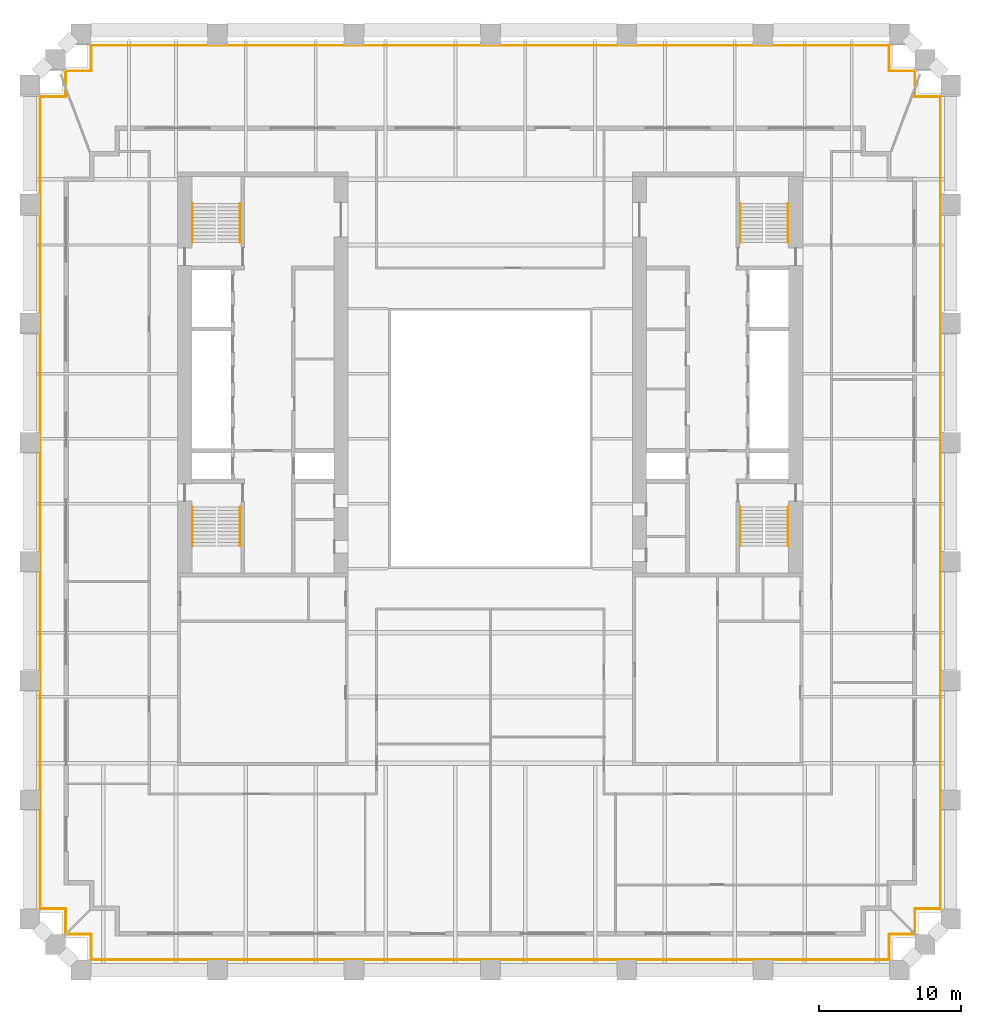
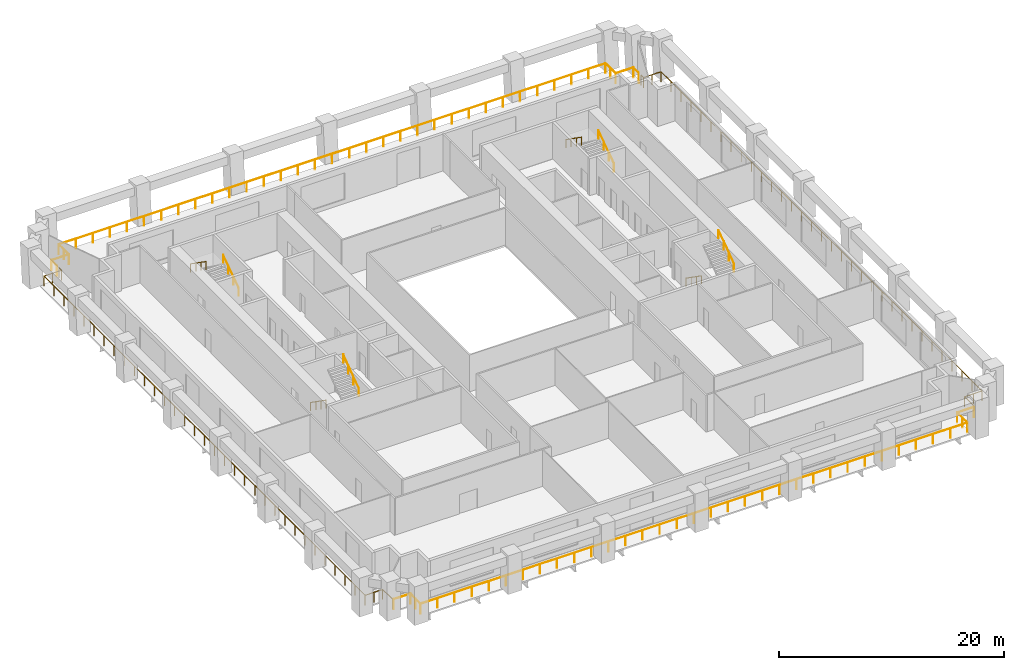
# One storey, part 8 of 8: 12 railings.
"""IFC4 building model written with IfcOpenShell, lengths in metres."""

from ifc_helpers import new_model, si_unit, direction, frame, origin, origin_2d, place, context, subcontext, project, spatial, circle, extrude, material, type_object, element, save


model = new_model("IFC4")

# Units and contexts
model_context = context("Model", 3, precision=1e-05, world=origin(), true_north=direction((0.0, 1.0)))
body_context = subcontext(model_context, "Body", "Model", "MODEL_VIEW")
ifc_project = project(units=[si_unit("LENGTHUNIT", "METRE"), si_unit("AREAUNIT", "SQUARE_METRE"), si_unit("VOLUMEUNIT", "CUBIC_METRE"), si_unit("PLANEANGLEUNIT", "RADIAN"), si_unit("MASSUNIT", "GRAM", prefix="KILO")], contexts=[model_context])

# Site, building, storey
site_placement = place(None, origin())
site = spatial("IfcSite", under=ifc_project, at=site_placement, CompositionType="ELEMENT")
building_placement = place(site_placement, origin())
building = spatial("IfcBuilding", under=site, at=building_placement, Name="Ogive Exchange Tower", CompositionType="ELEMENT")
storey_placement = place(building_placement, frame((0.0, 0.0, 77.39990234375)))
storey = spatial("IfcBuildingStorey", under=building, at=storey_placement, Name="L16", CompositionType="ELEMENT", Elevation=77.39990234375)

# Railings
ifc_material_1 = material(Name="Stainless steel 316", Category="steel")
railing_type_1 = type_object("IfcRailingType", Name="Guard 1100 stainless steel and glass", PredefinedType="GUARDRAIL", material=ifc_material_1)
railing_1_placement = place(storey_placement, frame((29.7880859375, -27.8798828125, -0.0498046875)))
element("IfcRailing", 1, at=railing_1_placement, inside=storey, type_object=railing_type_1, Name="Loggia guard 1", PredefinedType="GUARDRAIL", context=body_context, shape_type="SweptSolid", body=[
    extrude(circle(Radius=0.02392578125, at=origin_2d()), frame((0.0, 0.0, 1.076171875), z_axis=(-1.0, 0.0, 0.0), x_axis=(0.0, -1.0, 0.0)), (0.0, 0.0, 1.0), 1.7080078125),
    extrude(circle(Radius=0.02392578125, at=origin_2d()), frame((-1.7080078125, 0.0, 1.076171875), z_axis=(0.0, -1.0, 0.0), x_axis=(1.0, 0.0, 0.0)), (0.0, 0.0, 1.0), 1.800048828125),
    extrude(circle(Radius=0.02392578125, at=origin_2d()), frame((-1.7080078125, -1.800048828125, 1.076171875), z_axis=(-1.0, 0.0, 0.0), x_axis=(0.0, -1.0, 0.0)), (0.0, 0.0, 1.0), 56.16015625),
    extrude(circle(Radius=0.02392578125, at=origin_2d()), frame((-57.8681640625, -1.800048828125, 1.076171875), z_axis=(0.0, 1.0, 0.0), x_axis=(-1.0, 0.0, 0.0)), (0.0, 0.0, 1.0), 1.800048828125),
    extrude(circle(Radius=0.02392578125, at=origin_2d()), frame((-57.8681640625, 0.0, 1.076171875), z_axis=(-1.0, 0.0, 0.0), x_axis=(0.0, -1.0, 0.0)), (0.0, 0.0, 1.0), 1.7080078125),
    extrude(circle(Radius=0.02099609375, at=origin_2d()), origin(), (0.0, 0.0, 1.0), 1.052001953125),
    extrude(circle(Radius=0.02099609375, at=origin_2d()), frame((-1.7080078125, 0.0, 0.0)), (0.0, 0.0, 1.0), 1.052001953125),
    extrude(circle(Radius=0.02099609375, at=origin_2d()), frame((-1.7080078125, -0.89990234375, 0.0)), (0.0, 0.0, 1.0), 1.052001953125),
    extrude(circle(Radius=0.02099609375, at=origin_2d()), frame((-1.7080078125, -1.800048828125, 0.0)), (0.0, 0.0, 1.0), 1.052001953125),
    extrude(circle(Radius=0.02099609375, at=origin_2d()), frame((-3.462890625, -1.800048828125, 0.0)), (0.0, 0.0, 1.0), 1.052001953125),
    extrude(circle(Radius=0.02099609375, at=origin_2d()), frame((-5.218017578125, -1.800048828125, 0.0)), (0.0, 0.0, 1.0), 1.052001953125),
    extrude(circle(Radius=0.02099609375, at=origin_2d()), frame((-6.97314453125, -1.800048828125, 0.0)), (0.0, 0.0, 1.0), 1.052001953125),
    extrude(circle(Radius=0.02099609375, at=origin_2d()), frame((-8.72802734375, -1.800048828125, 0.0)), (0.0, 0.0, 1.0), 1.052001953125),
    extrude(circle(Radius=0.02099609375, at=origin_2d()), frame((-10.48291015625, -1.800048828125, 0.0)), (0.0, 0.0, 1.0), 1.052001953125),
    extrude(circle(Radius=0.02099609375, at=origin_2d()), frame((-12.238037109375, -1.800048828125, 0.0)), (0.0, 0.0, 1.0), 1.052001953125),
    extrude(circle(Radius=0.02099609375, at=origin_2d()), frame((-13.9931640625, -1.800048828125, 0.0)), (0.0, 0.0, 1.0), 1.052001953125),
    extrude(circle(Radius=0.02099609375, at=origin_2d()), frame((-15.748046875, -1.800048828125, 0.0)), (0.0, 0.0, 1.0), 1.052001953125),
    extrude(circle(Radius=0.02099609375, at=origin_2d()), frame((-17.5029296875, -1.800048828125, 0.0)), (0.0, 0.0, 1.0), 1.052001953125),
    extrude(circle(Radius=0.02099609375, at=origin_2d()), frame((-19.258056640625, -1.800048828125, 0.0)), (0.0, 0.0, 1.0), 1.052001953125),
    extrude(circle(Radius=0.02099609375, at=origin_2d()), frame((-21.01318359375, -1.800048828125, 0.0)), (0.0, 0.0, 1.0), 1.052001953125),
    extrude(circle(Radius=0.02099609375, at=origin_2d()), frame((-22.76806640625, -1.800048828125, 0.0)), (0.0, 0.0, 1.0), 1.052001953125),
    extrude(circle(Radius=0.02099609375, at=origin_2d()), frame((-24.52294921875, -1.800048828125, 0.0)), (0.0, 0.0, 1.0), 1.052001953125),
    extrude(circle(Radius=0.02099609375, at=origin_2d()), frame((-26.278076171875, -1.800048828125, 0.0)), (0.0, 0.0, 1.0), 1.052001953125),
    extrude(circle(Radius=0.02099609375, at=origin_2d()), frame((-28.033203125, -1.800048828125, 0.0)), (0.0, 0.0, 1.0), 1.052001953125),
    extrude(circle(Radius=0.02099609375, at=origin_2d()), frame((-29.7880859375, -1.800048828125, 0.0)), (0.0, 0.0, 1.0), 1.052001953125),
    extrude(circle(Radius=0.02099609375, at=origin_2d()), frame((-31.54296875, -1.800048828125, 0.0)), (0.0, 0.0, 1.0), 1.052001953125),
    extrude(circle(Radius=0.02099609375, at=origin_2d()), frame((-33.298095703125, -1.800048828125, 0.0)), (0.0, 0.0, 1.0), 1.052001953125),
    extrude(circle(Radius=0.02099609375, at=origin_2d()), frame((-35.05322265625, -1.800048828125, 0.0)), (0.0, 0.0, 1.0), 1.052001953125),
    extrude(circle(Radius=0.02099609375, at=origin_2d()), frame((-36.80810546875, -1.800048828125, 0.0)), (0.0, 0.0, 1.0), 1.052001953125),
    extrude(circle(Radius=0.02099609375, at=origin_2d()), frame((-38.56298828125, -1.800048828125, 0.0)), (0.0, 0.0, 1.0), 1.052001953125),
    extrude(circle(Radius=0.02099609375, at=origin_2d()), frame((-40.318115234375, -1.800048828125, 0.0)), (0.0, 0.0, 1.0), 1.052001953125),
    extrude(circle(Radius=0.02099609375, at=origin_2d()), frame((-42.0732421875, -1.800048828125, 0.0)), (0.0, 0.0, 1.0), 1.052001953125),
    extrude(circle(Radius=0.02099609375, at=origin_2d()), frame((-43.828125, -1.800048828125, 0.0)), (0.0, 0.0, 1.0), 1.052001953125),
    extrude(circle(Radius=0.02099609375, at=origin_2d()), frame((-45.5830078125, -1.800048828125, 0.0)), (0.0, 0.0, 1.0), 1.052001953125),
    extrude(circle(Radius=0.02099609375, at=origin_2d()), frame((-47.338134765625, -1.800048828125, 0.0)), (0.0, 0.0, 1.0), 1.052001953125),
    extrude(circle(Radius=0.02099609375, at=origin_2d()), frame((-49.09326171875, -1.800048828125, 0.0)), (0.0, 0.0, 1.0), 1.052001953125),
    extrude(circle(Radius=0.02099609375, at=origin_2d()), frame((-50.84814453125, -1.800048828125, 0.0)), (0.0, 0.0, 1.0), 1.052001953125),
    extrude(circle(Radius=0.02099609375, at=origin_2d()), frame((-52.60302734375, -1.800048828125, 0.0)), (0.0, 0.0, 1.0), 1.052001953125),
    extrude(circle(Radius=0.02099609375, at=origin_2d()), frame((-54.358154296875, -1.800048828125, 0.0)), (0.0, 0.0, 1.0), 1.052001953125),
    extrude(circle(Radius=0.02099609375, at=origin_2d()), frame((-56.11328125, -1.800048828125, 0.0)), (0.0, 0.0, 1.0), 1.052001953125),
    extrude(circle(Radius=0.02099609375, at=origin_2d()), frame((-57.8681640625, -1.800048828125, 0.0)), (0.0, 0.0, 1.0), 1.052001953125),
    extrude(circle(Radius=0.02099609375, at=origin_2d()), frame((-57.8681640625, -0.89990234375, 0.0)), (0.0, 0.0, 1.0), 1.052001953125),
    extrude(circle(Radius=0.02099609375, at=origin_2d()), frame((-57.8681640625, 0.0, 0.0)), (0.0, 0.0, 1.0), 1.052001953125),
    extrude(circle(Radius=0.02099609375, at=origin_2d()), frame((-59.576171875, 0.0, 0.0)), (0.0, 0.0, 1.0), 1.052001953125),
])
railing_2_placement = place(storey_placement, frame((-29.8798828125, -27.7880859375, -0.0498046875)))
element("IfcRailing", 2, at=railing_2_placement, inside=storey, type_object=railing_type_1, Name="Loggia guard 2", PredefinedType="GUARDRAIL", context=body_context, shape_type="SweptSolid", body=[
    extrude(circle(Radius=0.02392578125, at=origin_2d()), frame((0.0, 0.0, 1.076171875), z_axis=(0.0, 1.0, 0.0), x_axis=(-1.0, 0.0, 0.0)), (0.0, 0.0, 1.0), 1.7080078125),
    extrude(circle(Radius=0.02392578125, at=origin_2d()), frame((0.0, 1.7080078125, 1.076171875), z_axis=(-1.0, 0.0, 0.0), x_axis=(0.0, -1.0, 0.0)), (0.0, 0.0, 1.0), 1.800048828125),
    extrude(circle(Radius=0.02392578125, at=origin_2d()), frame((-1.800048828125, 1.7080078125, 1.076171875), z_axis=(0.0, 1.0, 0.0), x_axis=(-1.0, 0.0, 0.0)), (0.0, 0.0, 1.0), 57.141845703125),
    extrude(circle(Radius=0.02392578125, at=origin_2d()), frame((-1.800048828125, 58.849853515625, 1.076171875), z_axis=(1.0, 0.0, 0.0), x_axis=(0.0, 1.0, 0.0)), (0.0, 0.0, 1.0), 1.800048828125),
    extrude(circle(Radius=0.02392578125, at=origin_2d()), frame((0.0, 58.849853515625, 1.076171875), z_axis=(0.0, 1.0, 0.0), x_axis=(-1.0, 0.0, 0.0)), (0.0, 0.0, 1.0), 0.4208984375),
    extrude(circle(Radius=0.02099609375, at=origin_2d()), origin(), (0.0, 0.0, 1.0), 1.052001953125),
    extrude(circle(Radius=0.02099609375, at=origin_2d()), frame((0.0, 1.7080078125, 0.0)), (0.0, 0.0, 1.0), 1.052001953125),
    extrude(circle(Radius=0.02099609375, at=origin_2d()), frame((-0.89990234375, 1.7080078125, 0.0)), (0.0, 0.0, 1.0), 1.052001953125),
    extrude(circle(Radius=0.02099609375, at=origin_2d()), frame((-1.800048828125, 1.7080078125, 0.0)), (0.0, 0.0, 1.0), 1.052001953125),
    extrude(circle(Radius=0.02099609375, at=origin_2d()), frame((-1.800048828125, 3.49365234375, 0.0)), (0.0, 0.0, 1.0), 1.052001953125),
    extrude(circle(Radius=0.02099609375, at=origin_2d()), frame((-1.800048828125, 5.279296875, 0.0)), (0.0, 0.0, 1.0), 1.052001953125),
    extrude(circle(Radius=0.02099609375, at=origin_2d()), frame((-1.800048828125, 7.06494140625, 0.0)), (0.0, 0.0, 1.0), 1.052001953125),
    extrude(circle(Radius=0.02099609375, at=origin_2d()), frame((-1.800048828125, 8.850830078125, 0.0)), (0.0, 0.0, 1.0), 1.052001953125),
    extrude(circle(Radius=0.02099609375, at=origin_2d()), frame((-1.800048828125, 10.636474609375, 0.0)), (0.0, 0.0, 1.0), 1.052001953125),
    extrude(circle(Radius=0.02099609375, at=origin_2d()), frame((-1.800048828125, 12.422119140625, 0.0)), (0.0, 0.0, 1.0), 1.052001953125),
    extrude(circle(Radius=0.02099609375, at=origin_2d()), frame((-1.800048828125, 14.207763671875, 0.0)), (0.0, 0.0, 1.0), 1.052001953125),
    extrude(circle(Radius=0.02099609375, at=origin_2d()), frame((-1.800048828125, 15.993408203125, 0.0)), (0.0, 0.0, 1.0), 1.052001953125),
    extrude(circle(Radius=0.02099609375, at=origin_2d()), frame((-1.800048828125, 17.779052734375, 0.0)), (0.0, 0.0, 1.0), 1.052001953125),
    extrude(circle(Radius=0.02099609375, at=origin_2d()), frame((-1.800048828125, 19.56494140625, 0.0)), (0.0, 0.0, 1.0), 1.052001953125),
    extrude(circle(Radius=0.02099609375, at=origin_2d()), frame((-1.800048828125, 21.3505859375, 0.0)), (0.0, 0.0, 1.0), 1.052001953125),
    extrude(circle(Radius=0.02099609375, at=origin_2d()), frame((-1.800048828125, 23.13623046875, 0.0)), (0.0, 0.0, 1.0), 1.052001953125),
    extrude(circle(Radius=0.02099609375, at=origin_2d()), frame((-1.800048828125, 24.921875, 0.0)), (0.0, 0.0, 1.0), 1.052001953125),
    extrude(circle(Radius=0.02099609375, at=origin_2d()), frame((-1.800048828125, 26.70751953125, 0.0)), (0.0, 0.0, 1.0), 1.052001953125),
    extrude(circle(Radius=0.02099609375, at=origin_2d()), frame((-1.800048828125, 28.4931640625, 0.0)), (0.0, 0.0, 1.0), 1.052001953125),
    extrude(circle(Radius=0.02099609375, at=origin_2d()), frame((-1.800048828125, 30.27880859375, 0.0)), (0.0, 0.0, 1.0), 1.052001953125),
    extrude(circle(Radius=0.02099609375, at=origin_2d()), frame((-1.800048828125, 32.064697265625, 0.0)), (0.0, 0.0, 1.0), 1.052001953125),
    extrude(circle(Radius=0.02099609375, at=origin_2d()), frame((-1.800048828125, 33.850341796875, 0.0)), (0.0, 0.0, 1.0), 1.052001953125),
    extrude(circle(Radius=0.02099609375, at=origin_2d()), frame((-1.800048828125, 35.635986328125, 0.0)), (0.0, 0.0, 1.0), 1.052001953125),
    extrude(circle(Radius=0.02099609375, at=origin_2d()), frame((-1.800048828125, 37.421630859375, 0.0)), (0.0, 0.0, 1.0), 1.052001953125),
    extrude(circle(Radius=0.02099609375, at=origin_2d()), frame((-1.800048828125, 39.207275390625, 0.0)), (0.0, 0.0, 1.0), 1.052001953125),
    extrude(circle(Radius=0.02099609375, at=origin_2d()), frame((-1.800048828125, 40.992919921875, 0.0)), (0.0, 0.0, 1.0), 1.052001953125),
    extrude(circle(Radius=0.02099609375, at=origin_2d()), frame((-1.800048828125, 42.77880859375, 0.0)), (0.0, 0.0, 1.0), 1.052001953125),
    extrude(circle(Radius=0.02099609375, at=origin_2d()), frame((-1.800048828125, 44.564453125, 0.0)), (0.0, 0.0, 1.0), 1.052001953125),
    extrude(circle(Radius=0.02099609375, at=origin_2d()), frame((-1.800048828125, 46.35009765625, 0.0)), (0.0, 0.0, 1.0), 1.052001953125),
    extrude(circle(Radius=0.02099609375, at=origin_2d()), frame((-1.800048828125, 48.1357421875, 0.0)), (0.0, 0.0, 1.0), 1.052001953125),
    extrude(circle(Radius=0.02099609375, at=origin_2d()), frame((-1.800048828125, 49.92138671875, 0.0)), (0.0, 0.0, 1.0), 1.052001953125),
    extrude(circle(Radius=0.02099609375, at=origin_2d()), frame((-1.800048828125, 51.70703125, 0.0)), (0.0, 0.0, 1.0), 1.052001953125),
    extrude(circle(Radius=0.02099609375, at=origin_2d()), frame((-1.800048828125, 53.492919921875, 0.0)), (0.0, 0.0, 1.0), 1.052001953125),
    extrude(circle(Radius=0.02099609375, at=origin_2d()), frame((-1.800048828125, 55.278564453125, 0.0)), (0.0, 0.0, 1.0), 1.052001953125),
    extrude(circle(Radius=0.02099609375, at=origin_2d()), frame((-1.800048828125, 57.064208984375, 0.0)), (0.0, 0.0, 1.0), 1.052001953125),
    extrude(circle(Radius=0.02099609375, at=origin_2d()), frame((-1.800048828125, 58.849853515625, 0.0)), (0.0, 0.0, 1.0), 1.052001953125),
    extrude(circle(Radius=0.02099609375, at=origin_2d()), frame((-0.89990234375, 58.849853515625, 0.0)), (0.0, 0.0, 1.0), 1.052001953125),
    extrude(circle(Radius=0.02099609375, at=origin_2d()), frame((0.0, 58.849853515625, 0.0)), (0.0, 0.0, 1.0), 1.052001953125),
    extrude(circle(Radius=0.02099609375, at=origin_2d()), frame((0.0, 59.270751953125, 0.0)), (0.0, 0.0, 1.0), 1.052001953125),
])
railing_3_placement = place(storey_placement, frame((-29.8798828125, 31.851806640625, -0.0498046875)))
element("IfcRailing", 3, at=railing_3_placement, inside=storey, type_object=railing_type_1, Name="Loggia guard 3", PredefinedType="GUARDRAIL", context=body_context, shape_type="SweptSolid", body=[
    extrude(circle(Radius=0.02392578125, at=origin_2d()), frame((0.0, 0.0, 1.076171875), z_axis=(0.0, 1.0, 0.0), x_axis=(-1.0, 0.0, 0.0)), (0.0, 0.0, 1.0), 1.010009765625),
    extrude(circle(Radius=0.02392578125, at=origin_2d()), frame((0.0, 1.010009765625, 1.076171875), z_axis=(1.0, 0.0, 0.0), x_axis=(0.0, 1.0, 0.0)), (0.0, 0.0, 1.0), 1.7998046875),
    extrude(circle(Radius=0.02392578125, at=origin_2d()), frame((1.7998046875, 1.010009765625, 1.076171875), z_axis=(0.0, 1.0, 0.0), x_axis=(-1.0, 0.0, 0.0)), (0.0, 0.0, 1.0), 1.800048828125),
    extrude(circle(Radius=0.02392578125, at=origin_2d()), frame((1.7998046875, 2.81005859375, 1.076171875), z_axis=(1.0, 0.0, 0.0), x_axis=(0.0, 1.0, 0.0)), (0.0, 0.0, 1.0), 56.16015625),
    extrude(circle(Radius=0.02392578125, at=origin_2d()), frame((57.9599609375, 2.81005859375, 1.076171875), z_axis=(0.0, -1.0, 0.0), x_axis=(1.0, 0.0, 0.0)), (0.0, 0.0, 1.0), 1.800048828125),
    extrude(circle(Radius=0.02392578125, at=origin_2d()), frame((57.9599609375, 1.010009765625, 1.076171875), z_axis=(1.0, 0.0, 0.0), x_axis=(0.0, 1.0, 0.0)), (0.0, 0.0, 1.0), 1.7998046875),
    extrude(circle(Radius=0.02392578125, at=origin_2d()), frame((59.759765625, 1.010009765625, 1.076171875), z_axis=(0.0, -1.0, 0.0), x_axis=(1.0, 0.0, 0.0)), (0.0, 0.0, 1.0), 1.010009765625),
    extrude(circle(Radius=0.02099609375, at=origin_2d()), origin(), (0.0, 0.0, 1.0), 1.052001953125),
    extrude(circle(Radius=0.02099609375, at=origin_2d()), frame((0.0, 1.010009765625, 0.0)), (0.0, 0.0, 1.0), 1.052001953125),
    extrude(circle(Radius=0.02099609375, at=origin_2d()), frame((1.7998046875, 1.010009765625, 0.0)), (0.0, 0.0, 1.0), 1.052001953125),
    extrude(circle(Radius=0.02099609375, at=origin_2d()), frame((1.7998046875, 1.91015625, 0.0)), (0.0, 0.0, 1.0), 1.052001953125),
    extrude(circle(Radius=0.02099609375, at=origin_2d()), frame((1.7998046875, 2.81005859375, 0.0)), (0.0, 0.0, 1.0), 1.052001953125),
    extrude(circle(Radius=0.02099609375, at=origin_2d()), frame((3.5546875, 2.81005859375, 0.0)), (0.0, 0.0, 1.0), 1.052001953125),
    extrude(circle(Radius=0.02099609375, at=origin_2d()), frame((5.309814453125, 2.81005859375, 0.0)), (0.0, 0.0, 1.0), 1.052001953125),
    extrude(circle(Radius=0.02099609375, at=origin_2d()), frame((7.06494140625, 2.81005859375, 0.0)), (0.0, 0.0, 1.0), 1.052001953125),
    extrude(circle(Radius=0.02099609375, at=origin_2d()), frame((8.81982421875, 2.81005859375, 0.0)), (0.0, 0.0, 1.0), 1.052001953125),
    extrude(circle(Radius=0.02099609375, at=origin_2d()), frame((10.57470703125, 2.81005859375, 0.0)), (0.0, 0.0, 1.0), 1.052001953125),
    extrude(circle(Radius=0.02099609375, at=origin_2d()), frame((12.329833984375, 2.81005859375, 0.0)), (0.0, 0.0, 1.0), 1.052001953125),
    extrude(circle(Radius=0.02099609375, at=origin_2d()), frame((14.0849609375, 2.81005859375, 0.0)), (0.0, 0.0, 1.0), 1.052001953125),
    extrude(circle(Radius=0.02099609375, at=origin_2d()), frame((15.83984375, 2.81005859375, 0.0)), (0.0, 0.0, 1.0), 1.052001953125),
    extrude(circle(Radius=0.02099609375, at=origin_2d()), frame((17.5947265625, 2.81005859375, 0.0)), (0.0, 0.0, 1.0), 1.052001953125),
    extrude(circle(Radius=0.02099609375, at=origin_2d()), frame((19.349853515625, 2.81005859375, 0.0)), (0.0, 0.0, 1.0), 1.052001953125),
    extrude(circle(Radius=0.02099609375, at=origin_2d()), frame((21.10498046875, 2.81005859375, 0.0)), (0.0, 0.0, 1.0), 1.052001953125),
    extrude(circle(Radius=0.02099609375, at=origin_2d()), frame((22.85986328125, 2.81005859375, 0.0)), (0.0, 0.0, 1.0), 1.052001953125),
    extrude(circle(Radius=0.02099609375, at=origin_2d()), frame((24.61474609375, 2.81005859375, 0.0)), (0.0, 0.0, 1.0), 1.052001953125),
    extrude(circle(Radius=0.02099609375, at=origin_2d()), frame((26.369873046875, 2.81005859375, 0.0)), (0.0, 0.0, 1.0), 1.052001953125),
    extrude(circle(Radius=0.02099609375, at=origin_2d()), frame((28.125, 2.81005859375, 0.0)), (0.0, 0.0, 1.0), 1.052001953125),
    extrude(circle(Radius=0.02099609375, at=origin_2d()), frame((29.8798828125, 2.81005859375, 0.0)), (0.0, 0.0, 1.0), 1.052001953125),
    extrude(circle(Radius=0.02099609375, at=origin_2d()), frame((31.634765625, 2.81005859375, 0.0)), (0.0, 0.0, 1.0), 1.052001953125),
    extrude(circle(Radius=0.02099609375, at=origin_2d()), frame((33.389892578125, 2.81005859375, 0.0)), (0.0, 0.0, 1.0), 1.052001953125),
    extrude(circle(Radius=0.02099609375, at=origin_2d()), frame((35.14501953125, 2.81005859375, 0.0)), (0.0, 0.0, 1.0), 1.052001953125),
    extrude(circle(Radius=0.02099609375, at=origin_2d()), frame((36.89990234375, 2.81005859375, 0.0)), (0.0, 0.0, 1.0), 1.052001953125),
    extrude(circle(Radius=0.02099609375, at=origin_2d()), frame((38.65478515625, 2.81005859375, 0.0)), (0.0, 0.0, 1.0), 1.052001953125),
    extrude(circle(Radius=0.02099609375, at=origin_2d()), frame((40.409912109375, 2.81005859375, 0.0)), (0.0, 0.0, 1.0), 1.052001953125),
    extrude(circle(Radius=0.02099609375, at=origin_2d()), frame((42.1650390625, 2.81005859375, 0.0)), (0.0, 0.0, 1.0), 1.052001953125),
    extrude(circle(Radius=0.02099609375, at=origin_2d()), frame((43.919921875, 2.81005859375, 0.0)), (0.0, 0.0, 1.0), 1.052001953125),
    extrude(circle(Radius=0.02099609375, at=origin_2d()), frame((45.6748046875, 2.81005859375, 0.0)), (0.0, 0.0, 1.0), 1.052001953125),
    extrude(circle(Radius=0.02099609375, at=origin_2d()), frame((47.429931640625, 2.81005859375, 0.0)), (0.0, 0.0, 1.0), 1.052001953125),
    extrude(circle(Radius=0.02099609375, at=origin_2d()), frame((49.18505859375, 2.81005859375, 0.0)), (0.0, 0.0, 1.0), 1.052001953125),
    extrude(circle(Radius=0.02099609375, at=origin_2d()), frame((50.93994140625, 2.81005859375, 0.0)), (0.0, 0.0, 1.0), 1.052001953125),
    extrude(circle(Radius=0.02099609375, at=origin_2d()), frame((52.69482421875, 2.81005859375, 0.0)), (0.0, 0.0, 1.0), 1.052001953125),
    extrude(circle(Radius=0.02099609375, at=origin_2d()), frame((54.449951171875, 2.81005859375, 0.0)), (0.0, 0.0, 1.0), 1.052001953125),
    extrude(circle(Radius=0.02099609375, at=origin_2d()), frame((56.205078125, 2.81005859375, 0.0)), (0.0, 0.0, 1.0), 1.052001953125),
    extrude(circle(Radius=0.02099609375, at=origin_2d()), frame((57.9599609375, 2.81005859375, 0.0)), (0.0, 0.0, 1.0), 1.052001953125),
    extrude(circle(Radius=0.02099609375, at=origin_2d()), frame((57.9599609375, 1.91015625, 0.0)), (0.0, 0.0, 1.0), 1.052001953125),
    extrude(circle(Radius=0.02099609375, at=origin_2d()), frame((57.9599609375, 1.010009765625, 0.0)), (0.0, 0.0, 1.0), 1.052001953125),
    extrude(circle(Radius=0.02099609375, at=origin_2d()), frame((59.759765625, 1.010009765625, 0.0)), (0.0, 0.0, 1.0), 1.052001953125),
    extrude(circle(Radius=0.02099609375, at=origin_2d()), frame((59.759765625, 0.0, 0.0)), (0.0, 0.0, 1.0), 1.052001953125),
])
railing_4_placement = place(storey_placement, frame((29.8798828125, 31.482666015625, -0.0498046875)))
element("IfcRailing", 4, at=railing_4_placement, inside=storey, type_object=railing_type_1, Name="Loggia guard 4", PredefinedType="GUARDRAIL", context=body_context, shape_type="SweptSolid", body=[
    extrude(circle(Radius=0.02392578125, at=origin_2d()), frame((0.0, 0.0, 1.076171875), z_axis=(0.0, -1.0, 0.0), x_axis=(1.0, 0.0, 0.0)), (0.0, 0.0, 1.0), 0.4208984375),
    extrude(circle(Radius=0.02392578125, at=origin_2d()), frame((0.0, -0.4208984375, 1.076171875), z_axis=(1.0, 0.0, 0.0), x_axis=(0.0, 1.0, 0.0)), (0.0, 0.0, 1.0), 1.800048828125),
    extrude(circle(Radius=0.02392578125, at=origin_2d()), frame((1.800048828125, -0.4208984375, 1.076171875), z_axis=(0.0, -1.0, 0.0), x_axis=(1.0, 0.0, 0.0)), (0.0, 0.0, 1.0), 57.141845703125),
    extrude(circle(Radius=0.02392578125, at=origin_2d()), frame((1.800048828125, -57.562744140625, 1.076171875), z_axis=(-1.0, 0.0, 0.0), x_axis=(0.0, -1.0, 0.0)), (0.0, 0.0, 1.0), 1.800048828125),
    extrude(circle(Radius=0.02392578125, at=origin_2d()), frame((0.0, -57.562744140625, 1.076171875), z_axis=(0.0, -1.0, 0.0), x_axis=(1.0, 0.0, 0.0)), (0.0, 0.0, 1.0), 1.7080078125),
    extrude(circle(Radius=0.02099609375, at=origin_2d()), origin(), (0.0, 0.0, 1.0), 1.052001953125),
    extrude(circle(Radius=0.02099609375, at=origin_2d()), frame((0.0, -0.4208984375, 0.0)), (0.0, 0.0, 1.0), 1.052001953125),
    extrude(circle(Radius=0.02099609375, at=origin_2d()), frame((0.89990234375, -0.4208984375, 0.0)), (0.0, 0.0, 1.0), 1.052001953125),
    extrude(circle(Radius=0.02099609375, at=origin_2d()), frame((1.800048828125, -0.4208984375, 0.0)), (0.0, 0.0, 1.0), 1.052001953125),
    extrude(circle(Radius=0.02099609375, at=origin_2d()), frame((1.800048828125, -2.20654296875, 0.0)), (0.0, 0.0, 1.0), 1.052001953125),
    extrude(circle(Radius=0.02099609375, at=origin_2d()), frame((1.800048828125, -3.9921875, 0.0)), (0.0, 0.0, 1.0), 1.052001953125),
    extrude(circle(Radius=0.02099609375, at=origin_2d()), frame((1.800048828125, -5.77783203125, 0.0)), (0.0, 0.0, 1.0), 1.052001953125),
    extrude(circle(Radius=0.02099609375, at=origin_2d()), frame((1.800048828125, -7.563720703125, 0.0)), (0.0, 0.0, 1.0), 1.052001953125),
    extrude(circle(Radius=0.02099609375, at=origin_2d()), frame((1.800048828125, -9.349365234375, 0.0)), (0.0, 0.0, 1.0), 1.052001953125),
    extrude(circle(Radius=0.02099609375, at=origin_2d()), frame((1.800048828125, -11.135009765625, 0.0)), (0.0, 0.0, 1.0), 1.052001953125),
    extrude(circle(Radius=0.02099609375, at=origin_2d()), frame((1.800048828125, -12.920654296875, 0.0)), (0.0, 0.0, 1.0), 1.052001953125),
    extrude(circle(Radius=0.02099609375, at=origin_2d()), frame((1.800048828125, -14.706298828125, 0.0)), (0.0, 0.0, 1.0), 1.052001953125),
    extrude(circle(Radius=0.02099609375, at=origin_2d()), frame((1.800048828125, -16.491943359375, 0.0)), (0.0, 0.0, 1.0), 1.052001953125),
    extrude(circle(Radius=0.02099609375, at=origin_2d()), frame((1.800048828125, -18.27783203125, 0.0)), (0.0, 0.0, 1.0), 1.052001953125),
    extrude(circle(Radius=0.02099609375, at=origin_2d()), frame((1.800048828125, -20.0634765625, 0.0)), (0.0, 0.0, 1.0), 1.052001953125),
    extrude(circle(Radius=0.02099609375, at=origin_2d()), frame((1.800048828125, -21.84912109375, 0.0)), (0.0, 0.0, 1.0), 1.052001953125),
    extrude(circle(Radius=0.02099609375, at=origin_2d()), frame((1.800048828125, -23.634765625, 0.0)), (0.0, 0.0, 1.0), 1.052001953125),
    extrude(circle(Radius=0.02099609375, at=origin_2d()), frame((1.800048828125, -25.42041015625, 0.0)), (0.0, 0.0, 1.0), 1.052001953125),
    extrude(circle(Radius=0.02099609375, at=origin_2d()), frame((1.800048828125, -27.2060546875, 0.0)), (0.0, 0.0, 1.0), 1.052001953125),
    extrude(circle(Radius=0.02099609375, at=origin_2d()), frame((1.800048828125, -28.99169921875, 0.0)), (0.0, 0.0, 1.0), 1.052001953125),
    extrude(circle(Radius=0.02099609375, at=origin_2d()), frame((1.800048828125, -30.777587890625, 0.0)), (0.0, 0.0, 1.0), 1.052001953125),
    extrude(circle(Radius=0.02099609375, at=origin_2d()), frame((1.800048828125, -32.563232421875, 0.0)), (0.0, 0.0, 1.0), 1.052001953125),
    extrude(circle(Radius=0.02099609375, at=origin_2d()), frame((1.800048828125, -34.348876953125, 0.0)), (0.0, 0.0, 1.0), 1.052001953125),
    extrude(circle(Radius=0.02099609375, at=origin_2d()), frame((1.800048828125, -36.134521484375, 0.0)), (0.0, 0.0, 1.0), 1.052001953125),
    extrude(circle(Radius=0.02099609375, at=origin_2d()), frame((1.800048828125, -37.920166015625, 0.0)), (0.0, 0.0, 1.0), 1.052001953125),
    extrude(circle(Radius=0.02099609375, at=origin_2d()), frame((1.800048828125, -39.705810546875, 0.0)), (0.0, 0.0, 1.0), 1.052001953125),
    extrude(circle(Radius=0.02099609375, at=origin_2d()), frame((1.800048828125, -41.49169921875, 0.0)), (0.0, 0.0, 1.0), 1.052001953125),
    extrude(circle(Radius=0.02099609375, at=origin_2d()), frame((1.800048828125, -43.27734375, 0.0)), (0.0, 0.0, 1.0), 1.052001953125),
    extrude(circle(Radius=0.02099609375, at=origin_2d()), frame((1.800048828125, -45.06298828125, 0.0)), (0.0, 0.0, 1.0), 1.052001953125),
    extrude(circle(Radius=0.02099609375, at=origin_2d()), frame((1.800048828125, -46.8486328125, 0.0)), (0.0, 0.0, 1.0), 1.052001953125),
    extrude(circle(Radius=0.02099609375, at=origin_2d()), frame((1.800048828125, -48.63427734375, 0.0)), (0.0, 0.0, 1.0), 1.052001953125),
    extrude(circle(Radius=0.02099609375, at=origin_2d()), frame((1.800048828125, -50.419921875, 0.0)), (0.0, 0.0, 1.0), 1.052001953125),
    extrude(circle(Radius=0.02099609375, at=origin_2d()), frame((1.800048828125, -52.205810546875, 0.0)), (0.0, 0.0, 1.0), 1.052001953125),
    extrude(circle(Radius=0.02099609375, at=origin_2d()), frame((1.800048828125, -53.991455078125, 0.0)), (0.0, 0.0, 1.0), 1.052001953125),
    extrude(circle(Radius=0.02099609375, at=origin_2d()), frame((1.800048828125, -55.777099609375, 0.0)), (0.0, 0.0, 1.0), 1.052001953125),
    extrude(circle(Radius=0.02099609375, at=origin_2d()), frame((1.800048828125, -57.562744140625, 0.0)), (0.0, 0.0, 1.0), 1.052001953125),
    extrude(circle(Radius=0.02099609375, at=origin_2d()), frame((0.89990234375, -57.562744140625, 0.0)), (0.0, 0.0, 1.0), 1.052001953125),
    extrude(circle(Radius=0.02099609375, at=origin_2d()), frame((0.0, -57.562744140625, 0.0)), (0.0, 0.0, 1.0), 1.052001953125),
    extrude(circle(Radius=0.02099609375, at=origin_2d()), frame((0.0, -59.270751953125, 0.0)), (0.0, 0.0, 1.0), 1.052001953125),
])
ifc_material_2 = material(Name="Stainless steel", Category="steel")
railing_type_2 = type_object("IfcRailingType", Name="Stair handrail 900", PredefinedType="HANDRAIL", material=ifc_material_2)
railing_5_placement = place(storey_placement, frame((-20.949951171875, 2.199951171875, 0.175048828125)))
element("IfcRailing", 5, at=railing_5_placement, inside=storey, type_object=railing_type_2, Name="L16 ST1 stair handrail 1", PredefinedType="HANDRAIL", context=body_context, shape_type="SweptSolid", body=[
    extrude(circle(Radius=0.02392578125, at=origin_2d()), frame((0.0, 0.0, 0.8759765625), z_axis=(0.0, -0.819225086817, 0.573472106672), x_axis=(1.0, 0.0, 0.0)), (0.0, 0.0, 1.0), 3.35693359375),
    extrude(circle(Radius=0.02099609375, at=origin_2d()), origin(), (0.0, 0.0, 1.0), 0.851806640625),
    extrude(circle(Radius=0.02099609375, at=origin_2d()), frame((0.0, -0.916748046875, 0.6416015625)), (0.0, 0.0, 1.0), 0.851806640625),
    extrude(circle(Radius=0.02099609375, at=origin_2d()), frame((0.0, -1.833251953125, 1.283447265625)), (0.0, 0.0, 1.0), 0.851806640625),
    extrude(circle(Radius=0.02099609375, at=origin_2d()), frame((0.0, -2.75, 1.925048828125)), (0.0, 0.0, 1.0), 0.851806640625),
])
for number, where, name in (
    (6, (-17.60009765625, -0.550048828125, 2.275146484375), "L16 ST1 stair handrail 2"),
    (7, (-17.60009765625, 20.800048828125, 0.175048828125), "L16 ST2 stair handrail 1"),
):
    element("IfcRailing", number, at=place(storey_placement, frame(where)), inside=storey, type_object=railing_type_2, Name=name, PredefinedType="HANDRAIL", context=body_context, shape_type="SweptSolid", body=[
        extrude(circle(Radius=0.02392578125, at=origin_2d()), frame((0.0, 0.0, 0.8759765625), z_axis=(0.0, 0.819225086817, 0.573472106672), x_axis=(-1.0, 0.0, 0.0)), (0.0, 0.0, 1.0), 3.35693359375),
        extrude(circle(Radius=0.02099609375, at=origin_2d()), origin(), (0.0, 0.0, 1.0), 0.851806640625),
        extrude(circle(Radius=0.02099609375, at=origin_2d()), frame((0.0, 0.916748046875, 0.6416015625)), (0.0, 0.0, 1.0), 0.851806640625),
        extrude(circle(Radius=0.02099609375, at=origin_2d()), frame((0.0, 1.833251953125, 1.283447265625)), (0.0, 0.0, 1.0), 0.851806640625),
        extrude(circle(Radius=0.02099609375, at=origin_2d()), frame((0.0, 2.75, 1.925048828125)), (0.0, 0.0, 1.0), 0.851806640625),
    ])
for number, where, name in (
    (8, (-20.949951171875, 23.550048828125, 2.275146484375), "L16 ST2 stair handrail 2"),
    (9, (17.60009765625, 2.199951171875, 0.175048828125), "L16 ST3 stair handrail 1"),
):
    element("IfcRailing", number, at=place(storey_placement, frame(where)), inside=storey, type_object=railing_type_2, Name=name, PredefinedType="HANDRAIL", context=body_context, shape_type="SweptSolid", body=[
        extrude(circle(Radius=0.02392578125, at=origin_2d()), frame((0.0, 0.0, 0.8759765625), z_axis=(0.0, -0.819225086817, 0.573472106672), x_axis=(1.0, 0.0, 0.0)), (0.0, 0.0, 1.0), 3.35693359375),
        extrude(circle(Radius=0.02099609375, at=origin_2d()), origin(), (0.0, 0.0, 1.0), 0.851806640625),
        extrude(circle(Radius=0.02099609375, at=origin_2d()), frame((0.0, -0.916748046875, 0.6416015625)), (0.0, 0.0, 1.0), 0.851806640625),
        extrude(circle(Radius=0.02099609375, at=origin_2d()), frame((0.0, -1.833251953125, 1.283447265625)), (0.0, 0.0, 1.0), 0.851806640625),
        extrude(circle(Radius=0.02099609375, at=origin_2d()), frame((0.0, -2.75, 1.925048828125)), (0.0, 0.0, 1.0), 0.851806640625),
    ])
for number, where, name in (
    (10, (20.949951171875, -0.550048828125, 2.275146484375), "L16 ST3 stair handrail 2"),
    (11, (20.949951171875, 20.800048828125, 0.175048828125), "L16 ST4 stair handrail 1"),
):
    element("IfcRailing", number, at=place(storey_placement, frame(where)), inside=storey, type_object=railing_type_2, Name=name, PredefinedType="HANDRAIL", context=body_context, shape_type="SweptSolid", body=[
        extrude(circle(Radius=0.02392578125, at=origin_2d()), frame((0.0, 0.0, 0.8759765625), z_axis=(0.0, 0.819225086817, 0.573472106672), x_axis=(-1.0, 0.0, 0.0)), (0.0, 0.0, 1.0), 3.35693359375),
        extrude(circle(Radius=0.02099609375, at=origin_2d()), origin(), (0.0, 0.0, 1.0), 0.851806640625),
        extrude(circle(Radius=0.02099609375, at=origin_2d()), frame((0.0, 0.916748046875, 0.6416015625)), (0.0, 0.0, 1.0), 0.851806640625),
        extrude(circle(Radius=0.02099609375, at=origin_2d()), frame((0.0, 1.833251953125, 1.283447265625)), (0.0, 0.0, 1.0), 0.851806640625),
        extrude(circle(Radius=0.02099609375, at=origin_2d()), frame((0.0, 2.75, 1.925048828125)), (0.0, 0.0, 1.0), 0.851806640625),
    ])
railing_6_placement = place(storey_placement, frame((17.60009765625, 23.550048828125, 2.275146484375)))
element("IfcRailing", 12, at=railing_6_placement, inside=storey, type_object=railing_type_2, Name="L16 ST4 stair handrail 2", PredefinedType="HANDRAIL", context=body_context, shape_type="SweptSolid", body=[
    extrude(circle(Radius=0.02392578125, at=origin_2d()), frame((0.0, 0.0, 0.8759765625), z_axis=(0.0, -0.819225086817, 0.573472106672), x_axis=(1.0, 0.0, 0.0)), (0.0, 0.0, 1.0), 3.35693359375),
    extrude(circle(Radius=0.02099609375, at=origin_2d()), origin(), (0.0, 0.0, 1.0), 0.851806640625),
    extrude(circle(Radius=0.02099609375, at=origin_2d()), frame((0.0, -0.916748046875, 0.6416015625)), (0.0, 0.0, 1.0), 0.851806640625),
    extrude(circle(Radius=0.02099609375, at=origin_2d()), frame((0.0, -1.833251953125, 1.283447265625)), (0.0, 0.0, 1.0), 0.851806640625),
    extrude(circle(Radius=0.02099609375, at=origin_2d()), frame((0.0, -2.75, 1.925048828125)), (0.0, 0.0, 1.0), 0.851806640625),
])

save(model, "model.ifc")
